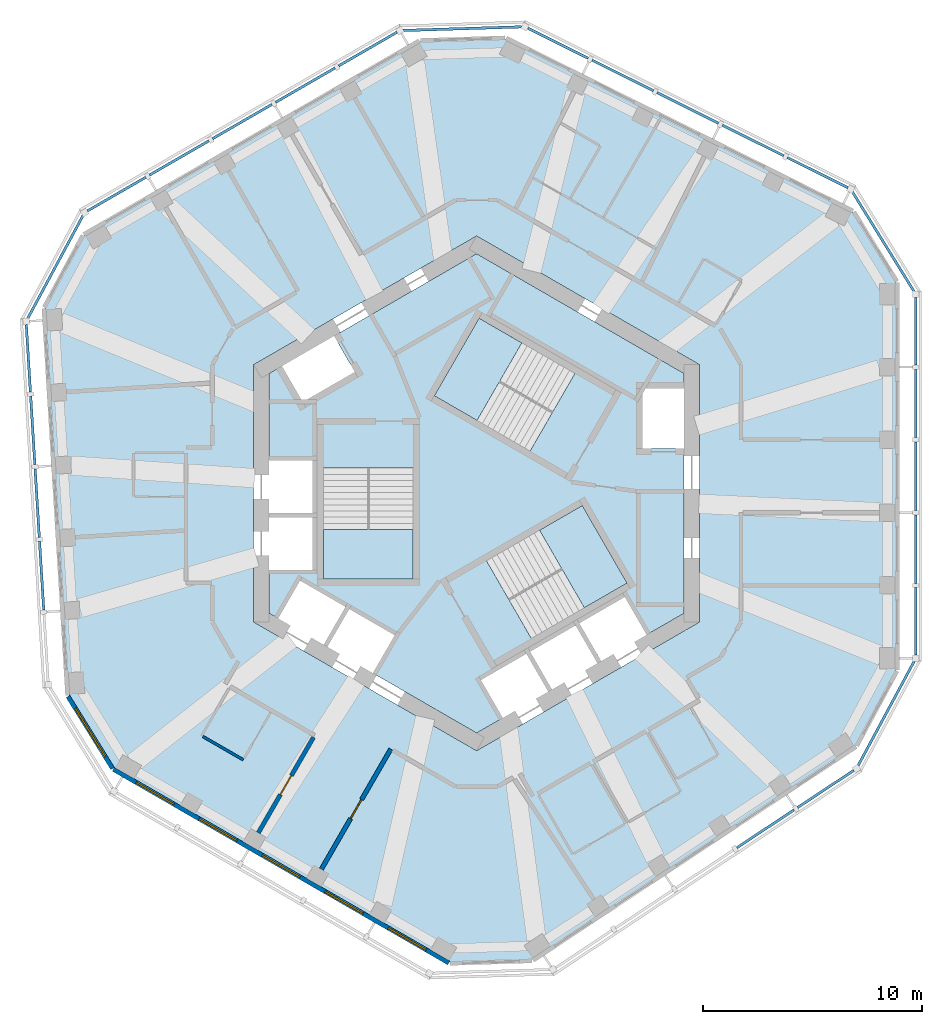
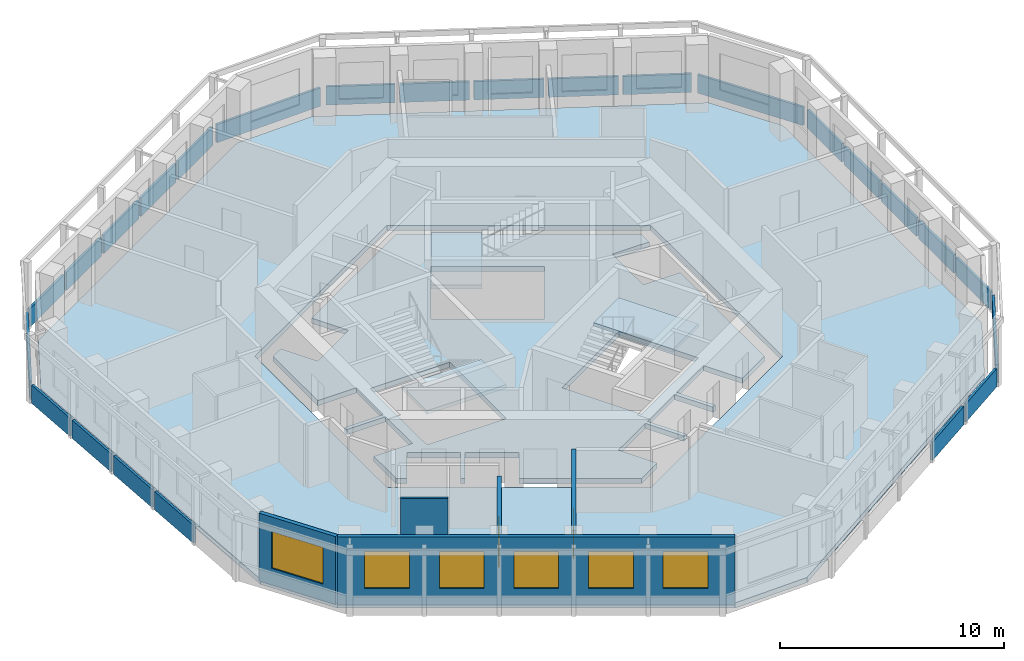
# One storey, part 3 of 11: 25 plates, 6 windows, 5 slabs, 5 walls, 2 doors, 8 openings, 12 elements without a shape of their own.
"""IFC4 building model written with IfcOpenShell, lengths in metres."""

from ifc_helpers import new_model, si_unit, direction, frame, frame_2d, origin, origin_2d, place, context, subcontext, project, spatial, polyline, rectangle, outline, extrude, material, layer, layer_set, type_object, element, fill, aggregate, save


model = new_model("IFC4")

# Units and contexts
model_context = context("Model", 3, precision=1e-05, world=origin(), true_north=direction((0.0, 1.0)))
body_context = subcontext(model_context, "Body", "Model", "MODEL_VIEW")
ifc_project = project(units=[si_unit("LENGTHUNIT", "METRE"), si_unit("AREAUNIT", "SQUARE_METRE"), si_unit("VOLUMEUNIT", "CUBIC_METRE"), si_unit("PLANEANGLEUNIT", "RADIAN"), si_unit("MASSUNIT", "GRAM", prefix="KILO")], contexts=[model_context])

# Site, building, storey
site_placement = place(None, origin())
site = spatial("IfcSite", under=ifc_project, at=site_placement, CompositionType="ELEMENT")
building_placement = place(site_placement, origin())
building = spatial("IfcBuilding", under=site, at=building_placement, Name="Vanh Sen Convention Tower", CompositionType="ELEMENT")
storey_placement = place(building_placement, frame((0.0, 0.0, 285.699951171875)))
storey = spatial("IfcBuildingStorey", under=building, at=storey_placement, Name="L70", CompositionType="ELEMENT", Elevation=285.699951171875)

# Slabs
ifc_material_1 = material(Name="Concrete C40/50", Category="concrete")
ifc_layer_1 = layer(ifc_material_1, 0.280029296875)
ifc_layer_set_1 = layer_set([ifc_layer_1], Name="Concrete C40/50")
slab_type_1 = type_object("IfcSlabType", Name="Core slab 280", PredefinedType="FLOOR", material=ifc_layer_set_1)
slab_1_placement = place(storey_placement, frame((0.0, 0.0, -0.280029296875)))
element("IfcSlab", 1, at=slab_1_placement, inside=storey, type_object=slab_type_1, Name="Core slab L70", PredefinedType="FLOOR", context=body_context, shape_type="SweptSolid", body=[
    extrude(outline(polyline([(0.0, 10.9697265625), (9.5, 5.48486328125), (9.5, 4.800048828125), (7.60009765625, 4.800048828125), (7.60009765625, 2.050048828125), (9.5, 2.050048828125), (9.5, -5.48486328125), (7.781005859375, -6.477294921875), (6.781005859375, -4.7451171875), (4.70263671875, -5.9453125), (5.70263671875, -7.67724609375), (5.529296875, -7.777099609375), (4.529296875, -6.045166015625), (2.450927734375, -7.2451171875), (3.450927734375, -8.977294921875), (3.27783203125, -9.0771484375), (2.27783203125, -7.34521484375), (0.19921875, -8.545166015625), (1.19921875, -10.277099609375), (0.0, -10.9697265625), (-4.75, -8.227294921875), (-3.75, -6.4951171875), (-5.82861328125, -5.295166015625), (-6.82861328125, -7.027099609375), (-7.001708984375, -6.92724609375), (-6.001708984375, -5.1953125), (-8.080078125, -3.9951171875), (-9.080078125, -5.727294921875), (-9.5, -5.48486328125), (-9.5, -3.5), (-7.5, -3.5), (-7.5, -1.10009765625), (-9.5, -1.10009765625), (-9.5, -0.89990234375), (-7.5, -0.89990234375), (-7.5, 1.5), (-9.5, 1.5), (-9.5, 5.48486328125), (-8.906982421875, 5.8271484375), (-7.956787109375, 4.181884765625), (-5.575439453125, 5.556884765625), (-6.525390625, 7.2021484375), (0.0, 10.9697265625)]), holes=[polyline([(-7.0, 1.1494140625), (-7.0, -3.909912109375), (-2.89990234375, -3.909912109375), (-2.89990234375, 1.1494140625), (-7.0, 1.1494140625)]), polyline([(2.504638671875, -6.63671875), (6.88623046875, -4.107177734375), (4.836181640625, -0.556396484375), (0.45458984375, -3.086181640625), (2.504638671875, -6.63671875)]), polyline([(0.11376953125, 8.01708984375), (-1.936279296875, 4.466552734375), (2.4453125, 1.936767578125), (4.495361328125, 5.487548828125), (0.11376953125, 8.01708984375)])]), origin(), (0.0, 0.0, 1.0), 0.280029296875),
])
ifc_layer_2 = layer(ifc_material_1, 0.280029296875)
ifc_layer_set_2 = layer_set([ifc_layer_2], Name="Concrete C40/50")
slab_type_2 = type_object("IfcSlabType", Name="Floor slab 280 REI 120", PredefinedType="FLOOR", material=ifc_layer_set_2)
slab_2_placement = place(storey_placement, frame((0.0, 0.0, -0.280029296875)))
element("IfcSlab", 2, at=slab_2_placement, inside=storey, type_object=slab_type_2, Name="Floor slab L70 tower", PredefinedType="FLOOR", context=body_context, shape_type="SweptSolid", body=[
    extrude(outline(polyline([(19.199951171875, -8.0966796875), (19.199951171875, 9.66162109375), (17.21337890625, 12.871826171875), (1.32080078125, 20.79541015625), (-2.587890625, 20.676025390625), (-17.967041015625, 11.796875), (-19.75390625, 8.471435546875), (-18.669921875, -9.25390625), (-16.612060546875, -12.579345703125), (-1.23291015625, -21.45849609375), (2.54052734375, -21.34326171875), (17.34912109375, -11.541748046875), (19.199951171875, -8.0966796875)]), holes=[polyline([(0.0, 11.77783203125), (-10.199951171875, 5.888916015625), (-10.199951171875, -5.888916015625), (0.0, -11.77783203125), (10.199951171875, -5.888916015625), (10.199951171875, 5.888916015625), (0.0, 11.77783203125)])]), origin(), (0.0, 0.0, 1.0), 0.280029296875),
])

# Curtain wall, plates
ifc_material_2 = material(Name="Concrete C50/60", Category="concrete")
curtain_wall_type = type_object("IfcCurtainWallType", Name="Outer skin office zone", PredefinedType="NOTDEFINED", material=ifc_material_2)
curtain_wall_1_placement = place(storey_placement, origin())
curtain_wall_1 = element("IfcCurtainWall", 3, at=curtain_wall_1_placement, inside=storey, type_object=curtain_wall_type, Name="OUTER SKIN E L70", PredefinedType="NOTDEFINED")
ifc_layer_3 = layer(ifc_material_2, 0.1201171875)
ifc_layer_set_3 = layer_set([ifc_layer_3], Name="Concrete C50/60")
plate_type = type_object("IfcPlateType", Name="Outer skin precast screen panel 120", PredefinedType="CURTAIN_PANEL", material=ifc_layer_set_3)
plate_1_placement = place(storey_placement, frame((20.10009765625, -5.85595703125, 0.0), z_axis=(0.0, 0.0, 1.0), x_axis=(0.0, 1.0, 0.0)))
plate_1 = element("IfcPlate", 4, at=plate_1_placement, type_object=plate_type, Name="OUTER SKIN screen panel E-1", PredefinedType="CURTAIN_PANEL", context=body_context, shape_type="SweptSolid", body=[
    extrude(rectangle(XDim=3.08154296875, YDim=0.1201171875, at=origin_2d()), origin(), (0.0, 0.0, 1.0), 1.0),
])
plate_2_placement = place(storey_placement, frame((20.10009765625, -2.54931640625, 0.0), z_axis=(0.0, 0.0, 1.0), x_axis=(0.0, 1.0, 0.0)))
plate_2 = element("IfcPlate", 5, at=plate_2_placement, type_object=plate_type, Name="OUTER SKIN screen panel E-2", PredefinedType="CURTAIN_PANEL", context=body_context, shape_type="SweptSolid", body=[
    extrude(rectangle(XDim=3.131591796875, YDim=0.1201171875, at=origin_2d()), origin(), (0.0, 0.0, 1.0), 1.0),
])
plate_3_placement = place(storey_placement, frame((20.10009765625, 0.782470703125, 0.0), z_axis=(0.0, 0.0, 1.0), x_axis=(0.0, 1.0, 0.0)))
plate_3 = element("IfcPlate", 6, at=plate_3_placement, type_object=plate_type, Name="OUTER SKIN screen panel E-3", PredefinedType="CURTAIN_PANEL", context=body_context, shape_type="SweptSolid", body=[
    extrude(rectangle(XDim=3.131591796875, YDim=0.1201171875, at=origin_2d()), origin(), (0.0, 0.0, 1.0), 1.0),
])
plate_4_placement = place(storey_placement, frame((20.10009765625, 4.114013671875, 0.0), z_axis=(0.0, 0.0, 1.0), x_axis=(0.0, 1.0, 0.0)))
plate_4 = element("IfcPlate", 7, at=plate_4_placement, type_object=plate_type, Name="OUTER SKIN screen panel E-4", PredefinedType="CURTAIN_PANEL", context=body_context, shape_type="SweptSolid", body=[
    extrude(rectangle(XDim=3.131591796875, YDim=0.1201171875, at=origin_2d()), origin(), (0.0, 0.0, 1.0), 1.0),
])
plate_5_placement = place(storey_placement, frame((20.10009765625, 7.420654296875, 0.0), z_axis=(0.0, 0.0, 1.0), x_axis=(0.0, 1.0, 0.0)))
plate_5 = element("IfcPlate", 8, at=plate_5_placement, type_object=plate_type, Name="OUTER SKIN screen panel E-5", PredefinedType="CURTAIN_PANEL", context=body_context, shape_type="SweptSolid", body=[
    extrude(rectangle(XDim=3.08154296875, YDim=0.1201171875, at=origin_2d()), origin(), (0.0, 0.0, 1.0), 1.0),
])
aggregate(curtain_wall_1, [plate_1, plate_2, plate_3, plate_4, plate_5])

# Curtain wall, plate
curtain_wall_2_placement = place(storey_placement, origin())
curtain_wall_2 = element("IfcCurtainWall", 9, at=curtain_wall_2_placement, inside=storey, type_object=curtain_wall_type, Name="OUTER SKIN CH1 L70", PredefinedType="NOTDEFINED")
plate_6_placement = place(storey_placement, frame((18.611328125, 11.51708984375, 0.0), z_axis=(0.0, 0.0, 1.0), x_axis=(-0.526218376078, 0.850349469734, 0.0)))
plate_6 = element("IfcPlate", 10, at=plate_6_placement, type_object=plate_type, Name="OUTER SKIN screen panel CH1-1", PredefinedType="CURTAIN_PANEL", context=body_context, shape_type="SweptSolid", body=[
    extrude(rectangle(XDim=5.35791015625, YDim=0.1201171875, at=origin_2d()), origin(), (0.0, 0.0, 1.0), 1.0),
])
aggregate(curtain_wall_2, [plate_6])

# Curtain wall, plates
curtain_wall_3_placement = place(storey_placement, origin())
curtain_wall_3 = element("IfcCurtainWall", 11, at=curtain_wall_3_placement, inside=storey, type_object=curtain_wall_type, Name="OUTER SKIN NE L70", PredefinedType="NOTDEFINED")
plate_7_placement = place(storey_placement, frame((15.609619140625, 14.677001953125, 0.0), z_axis=(0.0, 0.0, 1.0), x_axis=(-0.894931246532, 0.446204060919, 0.0)))
plate_7 = element("IfcPlate", 12, at=plate_7_placement, type_object=plate_type, Name="OUTER SKIN screen panel NE-1", PredefinedType="CURTAIN_PANEL", context=body_context, shape_type="SweptSolid", body=[
    extrude(rectangle(XDim=3.081787109375, YDim=0.1201171875, at=origin_2d()), origin(), (0.0, 0.0, 1.0), 1.0),
])
plate_8_placement = place(storey_placement, frame((12.650390625, 16.152587890625, 0.0), z_axis=(0.0, 0.0, 1.0), x_axis=(-0.894931246532, 0.446204060919, 0.0)))
plate_8 = element("IfcPlate", 13, at=plate_8_placement, type_object=plate_type, Name="OUTER SKIN screen panel NE-2", PredefinedType="CURTAIN_PANEL", context=body_context, shape_type="SweptSolid", body=[
    extrude(rectangle(XDim=3.131591796875, YDim=0.1201171875, at=origin_2d()), origin(), (0.0, 0.0, 1.0), 1.0),
])
plate_9_placement = place(storey_placement, frame((9.668701171875, 17.63916015625, 0.0), z_axis=(0.0, 0.0, 1.0), x_axis=(-0.894931246532, 0.446204060919, 0.0)))
plate_9 = element("IfcPlate", 14, at=plate_9_placement, type_object=plate_type, Name="OUTER SKIN screen panel NE-3", PredefinedType="CURTAIN_PANEL", context=body_context, shape_type="SweptSolid", body=[
    extrude(rectangle(XDim=3.131591796875, YDim=0.1201171875, at=origin_2d()), origin(), (0.0, 0.0, 1.0), 1.0),
])
plate_10_placement = place(storey_placement, frame((6.687255859375, 19.125732421875, 0.0), z_axis=(0.0, 0.0, 1.0), x_axis=(-0.89494292782, 0.446180631521, 0.0)))
plate_10 = element("IfcPlate", 15, at=plate_10_placement, type_object=plate_type, Name="OUTER SKIN screen panel NE-4", PredefinedType="CURTAIN_PANEL", context=body_context, shape_type="SweptSolid", body=[
    extrude(rectangle(XDim=3.131591796875, YDim=0.1201171875, at=origin_2d()), origin(), (0.0, 0.0, 1.0), 1.0),
])
plate_11_placement = place(storey_placement, frame((3.727783203125, 20.60107421875, 0.0), z_axis=(0.0, 0.0, 1.0), x_axis=(-0.894931246532, 0.446204060919, 0.0)))
plate_11 = element("IfcPlate", 16, at=plate_11_placement, type_object=plate_type, Name="OUTER SKIN screen panel NE-5", PredefinedType="CURTAIN_PANEL", context=body_context, shape_type="SweptSolid", body=[
    extrude(rectangle(XDim=3.081787109375, YDim=0.1201171875, at=origin_2d()), origin(), (0.0, 0.0, 1.0), 1.0),
])
aggregate(curtain_wall_3, [plate_7, plate_8, plate_9, plate_10, plate_11])

# Curtain wall, plate
curtain_wall_4_placement = place(storey_placement, origin())
curtain_wall_4 = element("IfcCurtainWall", 17, at=curtain_wall_4_placement, inside=storey, type_object=curtain_wall_type, Name="OUTER SKIN CH2 L70", PredefinedType="NOTDEFINED")
plate_12_placement = place(storey_placement, frame((-0.64990234375, 21.26806640625, 0.0), z_axis=(0.0, 0.0, 1.0), x_axis=(-0.99953391058, -0.030528046117, 0.0)))
plate_12 = element("IfcPlate", 18, at=plate_12_placement, type_object=plate_type, Name="OUTER SKIN screen panel CH2-1", PredefinedType="CURTAIN_PANEL", context=body_context, shape_type="SweptSolid", body=[
    extrude(rectangle(XDim=5.431640625, YDim=0.1201171875, at=origin_2d()), origin(), (0.0, 0.0, 1.0), 1.0),
])
aggregate(curtain_wall_4, [plate_12])

# Curtain wall, plates
curtain_wall_5_placement = place(storey_placement, origin())
curtain_wall_5 = element("IfcCurtainWall", 19, at=curtain_wall_5_placement, inside=storey, type_object=curtain_wall_type, Name="OUTER SKIN NW L70", PredefinedType="NOTDEFINED")
plate_13_placement = place(storey_placement, frame((-4.978515625, 20.335205078125, 0.0), z_axis=(0.0, 0.0, 1.0), x_axis=(-0.866015804314, -0.500016626402, 0.0)))
plate_13 = element("IfcPlate", 20, at=plate_13_placement, type_object=plate_type, Name="OUTER SKIN screen panel NW-1", PredefinedType="CURTAIN_PANEL", context=body_context, shape_type="SweptSolid", body=[
    extrude(rectangle(XDim=3.081787109375, YDim=0.1201171875, at=origin_2d()), origin(), (0.0, 0.0, 1.0), 1.0),
])
plate_14_placement = place(storey_placement, frame((-7.84228515625, 18.681640625, 0.0), z_axis=(0.0, 0.0, 1.0), x_axis=(-0.866028894422, -0.49999395399, 0.0)))
plate_14 = element("IfcPlate", 21, at=plate_14_placement, type_object=plate_type, Name="OUTER SKIN screen panel NW-2", PredefinedType="CURTAIN_PANEL", context=body_context, shape_type="SweptSolid", body=[
    extrude(rectangle(XDim=3.131591796875, YDim=0.1201171875, at=origin_2d()), origin(), (0.0, 0.0, 1.0), 1.0),
])
plate_15_placement = place(storey_placement, frame((-10.7275390625, 17.015869140625, 0.0), z_axis=(0.0, 0.0, 1.0), x_axis=(-0.866028894422, -0.49999395399, 0.0)))
plate_15 = element("IfcPlate", 22, at=plate_15_placement, type_object=plate_type, Name="OUTER SKIN screen panel NW-3", PredefinedType="CURTAIN_PANEL", context=body_context, shape_type="SweptSolid", body=[
    extrude(rectangle(XDim=3.131591796875, YDim=0.1201171875, at=origin_2d()), origin(), (0.0, 0.0, 1.0), 1.0),
])
plate_16_placement = place(storey_placement, frame((-13.61279296875, 15.35009765625, 0.0), z_axis=(0.0, 0.0, 1.0), x_axis=(-0.866015804314, -0.500016626402, 0.0)))
plate_16 = element("IfcPlate", 23, at=plate_16_placement, type_object=plate_type, Name="OUTER SKIN screen panel NW-4", PredefinedType="CURTAIN_PANEL", context=body_context, shape_type="SweptSolid", body=[
    extrude(rectangle(XDim=3.131591796875, YDim=0.1201171875, at=origin_2d()), origin(), (0.0, 0.0, 1.0), 1.0),
])
plate_17_placement = place(storey_placement, frame((-16.4765625, 13.69677734375, 0.0), z_axis=(0.0, 0.0, 1.0), x_axis=(-0.866028894422, -0.49999395399, 0.0)))
plate_17 = element("IfcPlate", 24, at=plate_17_placement, type_object=plate_type, Name="OUTER SKIN screen panel NW-5", PredefinedType="CURTAIN_PANEL", context=body_context, shape_type="SweptSolid", body=[
    extrude(rectangle(XDim=3.08154296875, YDim=0.1201171875, at=origin_2d()), origin(), (0.0, 0.0, 1.0), 1.0),
])
aggregate(curtain_wall_5, [plate_13, plate_14, plate_15, plate_16, plate_17])

# Curtain wall, plate
curtain_wall_6_placement = place(storey_placement, origin())
curtain_wall_6 = element("IfcCurtainWall", 25, at=curtain_wall_6_placement, inside=storey, type_object=curtain_wall_type, Name="OUTER SKIN CH3 L70", PredefinedType="NOTDEFINED")
plate_18_placement = place(storey_placement, frame((-19.27978515625, 10.359375, 0.0), z_axis=(0.0, 0.0, 1.0), x_axis=(-0.473324279511, -0.880888259897, 0.0)))
plate_18 = element("IfcPlate", 26, at=plate_18_placement, type_object=plate_type, Name="OUTER SKIN screen panel CH3-1", PredefinedType="CURTAIN_PANEL", context=body_context, shape_type="SweptSolid", body=[
    extrude(rectangle(XDim=5.35791015625, YDim=0.1201171875, at=origin_2d()), origin(), (0.0, 0.0, 1.0), 1.0),
])
aggregate(curtain_wall_6, [plate_18])

# Curtain wall, plates
curtain_wall_7_placement = place(storey_placement, origin())
curtain_wall_7 = element("IfcCurtainWall", 27, at=curtain_wall_7_placement, inside=storey, type_object=curtain_wall_type, Name="OUTER SKIN W L70", PredefinedType="NOTDEFINED")
plate_19_placement = place(storey_placement, frame((-20.515380859375, 6.1796875, 0.0), z_axis=(0.0, 0.0, 1.0), x_axis=(0.061052023682, -0.998134585316, 0.0)))
plate_19 = element("IfcPlate", 28, at=plate_19_placement, type_object=plate_type, Name="OUTER SKIN screen panel W-1", PredefinedType="CURTAIN_PANEL", context=body_context, shape_type="SweptSolid", body=[
    extrude(rectangle(XDim=3.08154296875, YDim=0.1201171875, at=origin_2d()), origin(), (0.0, 0.0, 1.0), 1.0),
])
plate_20_placement = place(storey_placement, frame((-20.313720703125, 2.87939453125, 0.0), z_axis=(0.0, 0.0, 1.0), x_axis=(0.061050281609, -0.998134691871, 0.0)))
plate_20 = element("IfcPlate", 29, at=plate_20_placement, type_object=plate_type, Name="OUTER SKIN screen panel W-2", PredefinedType="CURTAIN_PANEL", context=body_context, shape_type="SweptSolid", body=[
    extrude(rectangle(XDim=3.131591796875, YDim=0.1201171875, at=origin_2d()), origin(), (0.0, 0.0, 1.0), 1.0),
])
plate_21_placement = place(storey_placement, frame((-20.1103515625, -0.4462890625, 0.0), z_axis=(0.0, 0.0, 1.0), x_axis=(0.061052023682, -0.998134585316, 0.0)))
plate_21 = element("IfcPlate", 30, at=plate_21_placement, type_object=plate_type, Name="OUTER SKIN screen panel W-3", PredefinedType="CURTAIN_PANEL", context=body_context, shape_type="SweptSolid", body=[
    extrude(rectangle(XDim=3.131591796875, YDim=0.1201171875, at=origin_2d()), origin(), (0.0, 0.0, 1.0), 1.0),
])
plate_22_placement = place(storey_placement, frame((-19.906982421875, -3.771484375, 0.0), z_axis=(0.0, 0.0, 1.0), x_axis=(0.061052023682, -0.998134585316, 0.0)))
plate_22 = element("IfcPlate", 31, at=plate_22_placement, type_object=plate_type, Name="OUTER SKIN screen panel W-4", PredefinedType="CURTAIN_PANEL", context=body_context, shape_type="SweptSolid", body=[
    extrude(rectangle(XDim=3.131591796875, YDim=0.1201171875, at=origin_2d()), origin(), (0.0, 0.0, 1.0), 1.0),
])
aggregate(curtain_wall_7, [plate_19, plate_20, plate_21, plate_22])

curtain_wall_8_placement = place(storey_placement, origin())
curtain_wall_8 = element("IfcCurtainWall", 32, at=curtain_wall_8_placement, inside=storey, type_object=curtain_wall_type, Name="OUTER SKIN SE L70", PredefinedType="NOTDEFINED")
plate_23_placement = place(storey_placement, frame((13.2197265625, -15.35400390625, 0.0), z_axis=(0.0, 0.0, 1.0), x_axis=(0.833879078823, 0.551947173108, 0.0)))
plate_23 = element("IfcPlate", 33, at=plate_23_placement, type_object=plate_type, Name="OUTER SKIN screen panel SE-4", PredefinedType="CURTAIN_PANEL", context=body_context, shape_type="SweptSolid", body=[
    extrude(rectangle(XDim=3.131591796875, YDim=0.1201171875, at=origin_2d()), origin(), (0.0, 0.0, 1.0), 1.0),
])
plate_24_placement = place(storey_placement, frame((15.97705078125, -13.529052734375, 0.0), z_axis=(0.0, 0.0, 1.0), x_axis=(0.833879078823, 0.551947173108, 0.0)))
plate_24 = element("IfcPlate", 34, at=plate_24_placement, type_object=plate_type, Name="OUTER SKIN screen panel SE-5", PredefinedType="CURTAIN_PANEL", context=body_context, shape_type="SweptSolid", body=[
    extrude(rectangle(XDim=3.081787109375, YDim=0.1201171875, at=origin_2d()), origin(), (0.0, 0.0, 1.0), 1.0),
])
aggregate(curtain_wall_8, [plate_23, plate_24])

# Curtain wall, plate
curtain_wall_9_placement = place(storey_placement, origin())
curtain_wall_9 = element("IfcCurtainWall", 35, at=curtain_wall_9_placement, inside=storey, type_object=curtain_wall_type, Name="OUTER SKIN CH6 L70", PredefinedType="NOTDEFINED")
plate_25_placement = place(storey_placement, frame((18.743408203125, -10.0712890625, 0.0), z_axis=(0.0, 0.0, 1.0), x_axis=(0.473324279511, 0.880888259897, 0.0)))
plate_25 = element("IfcPlate", 36, at=plate_25_placement, type_object=plate_type, Name="OUTER SKIN screen panel CH6-1", PredefinedType="CURTAIN_PANEL", context=body_context, shape_type="SweptSolid", body=[
    extrude(rectangle(XDim=5.431884765625, YDim=0.1201171875, at=origin_2d()), origin(), (0.0, 0.0, 1.0), 1.0),
])
aggregate(curtain_wall_9, [plate_25])

# Stair, slab
ifc_material_3 = material(Name="Concrete C50/60", Category="concrete")
stair_type_1 = type_object("IfcStairType", Name="Exit stair ST1 22 risers at 168.2", PredefinedType="HALF_TURN_STAIR", material=ifc_material_3)
stair_1_placement = place(storey_placement, origin())
stair_1 = element("IfcStair", 37, at=stair_1_placement, inside=storey, type_object=stair_type_1, Name="Exit stair ST1 L70", PredefinedType="HALF_TURN_STAIR")
ifc_layer_4 = layer(ifc_material_1, 0.199951171875)
ifc_layer_set_4 = layer_set([ifc_layer_4], Name="Concrete C40/50")
slab_type_3 = type_object("IfcSlabType", Name="Stair landing 200", PredefinedType="LANDING", material=ifc_layer_set_4)
slab_3_placement = place(storey_placement, frame((0.0, 0.0, 1.650146484375)))
slab_3 = element("IfcSlab", 38, at=slab_3_placement, type_object=slab_type_3, Name="ST1 landing 1", PredefinedType="LANDING", context=body_context, shape_type="SweptSolid", body=[
    extrude(outline(polyline([(2.07177734375, 6.88671875), (0.11376953125, 8.01708984375), (-1.936279296875, 4.466552734375), (0.021728515625, 3.336181640625), (2.07177734375, 6.88671875)])), origin(), (0.0, 0.0, 1.0), 0.199951171875),
])
aggregate(stair_1, [slab_3])

stair_type_2 = type_object("IfcStairType", Name="Exit stair ST2 22 risers at 168.2", PredefinedType="HALF_TURN_STAIR", material=ifc_material_3)
stair_2_placement = place(storey_placement, origin())
stair_2 = element("IfcStair", 39, at=stair_2_placement, inside=storey, type_object=stair_type_2, Name="Exit stair ST2 L70", PredefinedType="HALF_TURN_STAIR")
slab_4_placement = place(storey_placement, frame((0.0, 0.0, 1.650146484375)))
slab_4 = element("IfcSlab", 40, at=slab_4_placement, type_object=slab_type_3, Name="ST2 landing 1", PredefinedType="LANDING", context=body_context, shape_type="SweptSolid", body=[
    extrude(outline(polyline([(-7.0, -1.6494140625), (-7.0, -3.909912109375), (-2.89990234375, -3.909912109375), (-2.89990234375, -1.6494140625), (-7.0, -1.6494140625)])), origin(), (0.0, 0.0, 1.0), 0.199951171875),
])
aggregate(stair_2, [slab_4])

stair_type_3 = type_object("IfcStairType", Name="Exit stair ST3 22 risers at 168.2", PredefinedType="HALF_TURN_STAIR", material=ifc_material_3)
stair_3_placement = place(storey_placement, origin())
stair_3 = element("IfcStair", 41, at=stair_3_placement, inside=storey, type_object=stair_type_3, Name="Exit stair ST3 L70", PredefinedType="HALF_TURN_STAIR")
slab_5_placement = place(storey_placement, frame((0.0, 0.0, 1.650146484375)))
slab_5 = element("IfcSlab", 42, at=slab_5_placement, type_object=slab_type_3, Name="ST3 landing 1", PredefinedType="LANDING", context=body_context, shape_type="SweptSolid", body=[
    extrude(outline(polyline([(4.92822265625, -5.237548828125), (6.88623046875, -4.107177734375), (4.836181640625, -0.556396484375), (2.87841796875, -1.686767578125), (4.92822265625, -5.237548828125)])), origin(), (0.0, 0.0, 1.0), 0.199951171875),
])
aggregate(stair_3, [slab_5])

# Wall
ifc_material_4 = material(Name="Moisture-resistant gypsum board on steel studs", Category="steel")
ifc_layer_5 = layer(ifc_material_4, 0.1201171875)
ifc_layer_set_5 = layer_set([ifc_layer_5], Name="Moisture-resistant gypsum board on steel studs")
wall_type_1 = type_object("IfcWallType", Name="Bathroom partition 120", PredefinedType="PARTITIONING", material=ifc_layer_set_5)
wall_1_placement = place(storey_placement, frame((-10.67919921875, -12.1953125, 0.0), z_axis=(0.0, 0.0, 1.0), x_axis=(-0.866037418504, 0.499979189318, 0.0)))
element("IfcWall", 43, at=wall_1_placement, inside=storey, type_object=wall_type_1, Name="Bathroom partition 120", PredefinedType="PARTITIONING", context=body_context, shape_type="SweptSolid", body=[
    extrude(rectangle(XDim=2.14013671875, YDim=0.1201171875, at=frame_2d((1.070068359375, 0.0))), origin(), (0.0, 0.0, 1.0), 3.420166015625),
])

# Wall, opening, door
ifc_material_5 = material(Name="Gypsum board on steel studs with mineral wool", Category="steel")
ifc_layer_6 = layer(ifc_material_5, 0.199951171875)
ifc_layer_set_6 = layer_set([ifc_layer_6], Name="Gypsum board on steel studs with mineral wool")
wall_type_2 = type_object("IfcWallType", Name="Corridor partition wall 200", PredefinedType="PARTITIONING", material=ifc_layer_set_6)
wall_2_placement = place(storey_placement, frame((-9.989990234375, -15.53662109375, 0.0), z_axis=(0.0, 0.0, 1.0), x_axis=(0.499966611936, 0.866044679534, 0.0)))
wall_2 = element("IfcWall", 44, at=wall_2_placement, inside=storey, type_object=wall_type_2, Name="Corridor partition wall 200", PredefinedType="PARTITIONING", context=body_context, shape_type="SweptSolid", body=[
    extrude(rectangle(XDim=5.049072265625, YDim=0.199951171875, at=frame_2d((2.5244140625, 0.0))), origin(), (0.0, 0.0, 1.0), 2.8701171875),
])
opening_1_placement = place(wall_2_placement, frame((2.0244140625, 0.0, 0.0)))
opening_1 = element("IfcOpeningElement", 45, at=opening_1_placement, cuts=wall_2, Name="Opening D70113", PredefinedType="OPENING", context=body_context, shape_type="SweptSolid", body=[
    extrude(rectangle(XDim=1.0, YDim=2.10009765625, at=frame_2d((0.5, 1.050048828125))), frame((0.0, 0.10986328125, 0.0), z_axis=(0.0, -1.0, 0.0), x_axis=(1.0, 0.0, 0.0)), (0.0, 0.0, 1.0), 0.219970703125),
])
ifc_material_6 = material(Name="Glazed fire door in steel frame", Category="steel")
door_type_1 = type_object("IfcDoorType", Name="Tenant entrance door 1000", OperationType="SINGLE_SWING_LEFT", PredefinedType="DOOR", material=ifc_material_6)
door_1_placement = place(opening_1_placement, origin())
door_1 = element("IfcDoor", 46, at=door_1_placement, inside=storey, type_object=door_type_1, Name="Tenant suite entrance door D70113", OperationType="SINGLE_SWING_LEFT", OverallHeight=2.10009765625, OverallWidth=1.0, PredefinedType="DOOR", context=body_context, shape_type="SweptSolid", body=[
    extrude(rectangle(XDim=1.0, YDim=2.10009765625, at=frame_2d((0.5, 1.050048828125))), frame((0.0, 0.02490234375, 0.0), z_axis=(0.0, -1.0, 0.0), x_axis=(1.0, 0.0, 0.0)), (0.0, 0.0, 1.0), 0.050048828125),
])
fill(opening_1, door_1)

wall_3_placement = place(storey_placement, frame((-7.104736328125, -17.202392578125, 0.0), z_axis=(0.0, 0.0, 1.0), x_axis=(0.499988692146, 0.866031932279, 0.0)))
wall_3 = element("IfcWall", 47, at=wall_3_placement, inside=storey, type_object=wall_type_2, Name="Corridor partition wall 200", PredefinedType="PARTITIONING", context=body_context, shape_type="SweptSolid", body=[
    extrude(rectangle(XDim=6.350341796875, YDim=0.199951171875, at=frame_2d((3.17529296875, 0.0))), origin(), (0.0, 0.0, 1.0), 3.420166015625),
])
opening_2_placement = place(wall_3_placement, frame((2.675048828125, 0.0, 0.0)))
opening_2 = element("IfcOpeningElement", 48, at=opening_2_placement, cuts=wall_3, Name="Opening D70115", PredefinedType="OPENING", context=body_context, shape_type="SweptSolid", body=[
    extrude(rectangle(XDim=1.0, YDim=2.10009765625, at=frame_2d((0.5, 1.050048828125))), frame((0.0, 0.10986328125, 0.0), z_axis=(0.0, -1.0, 0.0), x_axis=(1.0, 0.0, 0.0)), (0.0, 0.0, 1.0), 0.219970703125),
])
ifc_material_7 = material(Name="Timber fire door in steel frame", Category="steel")
door_type_2 = type_object("IfcDoorType", Name="Floor room door 1000", OperationType="SINGLE_SWING_LEFT", PredefinedType="DOOR", material=ifc_material_7)
door_2_placement = place(opening_2_placement, origin())
door_2 = element("IfcDoor", 49, at=door_2_placement, inside=storey, type_object=door_type_2, Name="Meeting and amenity room door D70115", OperationType="SINGLE_SWING_LEFT", OverallHeight=2.10009765625, OverallWidth=1.0, PredefinedType="DOOR", context=body_context, shape_type="SweptSolid", body=[
    extrude(rectangle(XDim=1.0, YDim=2.10009765625, at=frame_2d((0.5, 1.050048828125))), frame((0.0, 0.02490234375, 0.0), z_axis=(0.0, -1.0, 0.0), x_axis=(1.0, 0.0, 0.0)), (0.0, 0.0, 1.0), 0.050048828125),
])
fill(opening_2, door_2)

# Wall, opening, window
ifc_material_8 = material(Name="Insulated lightweight infill wall")
ifc_layer_7 = layer(ifc_material_8, 0.199951171875)
ifc_layer_set_7 = layer_set([ifc_layer_7], Name="Insulated lightweight infill wall")
wall_type_3 = type_object("IfcWallType", Name="External wall 200", PredefinedType="STANDARD", material=ifc_layer_set_7)
wall_4_placement = place(storey_placement, frame((-18.705810546875, -9.290771484375, 0.0), z_axis=(0.0, 0.0, 1.0), x_axis=(0.526209683648, -0.850354848775, 0.0)))
wall_4 = element("IfcWall", 50, at=wall_4_placement, inside=storey, type_object=wall_type_3, Name="External wall CH4 L70", PredefinedType="STANDARD", context=body_context, shape_type="SweptSolid", body=[
    extrude(rectangle(XDim=3.8857421875, YDim=0.199951171875, at=frame_2d((1.94287109375, 0.0))), origin(), (0.0, 0.0, 1.0), 3.699951171875),
])
opening_3_placement = place(wall_4_placement, frame((0.642822265625, 0.0, 0.89990234375)))
opening_3 = element("IfcOpeningElement", 51, at=opening_3_placement, cuts=wall_4, Name="Opening WO6-CH41", PredefinedType="OPENING", context=body_context, shape_type="SweptSolid", body=[
    extrude(rectangle(XDim=2.60009765625, YDim=2.0, at=frame_2d((1.300048828125, 1.0))), frame((0.0, 0.10986328125, 0.0), z_axis=(0.0, -1.0, 0.0), x_axis=(1.0, 0.0, 0.0)), (0.0, 0.0, 1.0), 0.219970703125),
])
ifc_material_9 = material(Name="Aluminium frame with clear low-emissivity glass", Category="aluminium")
window_type_1 = type_object("IfcWindowType", Name="Office window 2600 x 2000", PartitioningType="SINGLE_PANEL", PredefinedType="WINDOW", material=ifc_material_9)
window_1_placement = place(opening_3_placement, origin())
window_1 = element("IfcWindow", 52, at=window_1_placement, inside=storey, type_object=window_type_1, Name="Window WO6-CH41", OverallHeight=2.0, OverallWidth=2.60009765625, PartitioningType="SINGLE_PANEL", PredefinedType="WINDOW", context=body_context, shape_type="SweptSolid", body=[
    extrude(rectangle(XDim=2.60009765625, YDim=2.0, at=frame_2d((1.300048828125, 1.0))), frame((0.0, 0.030029296875, 0.0), z_axis=(0.0, -1.0, 0.0), x_axis=(1.0, 0.0, 0.0)), (0.0, 0.0, 1.0), 0.06005859375),
])
fill(opening_3, window_1)

# Wall, openings, windows
wall_5_placement = place(storey_placement, frame((-16.626220703125, -12.62890625, 0.0), z_axis=(0.0, 0.0, 1.0), x_axis=(0.866026460444, -0.499998169808, 0.0)))
wall_5 = element("IfcWall", 53, at=wall_5_placement, inside=storey, type_object=wall_type_3, Name="External wall SW L70", PredefinedType="STANDARD", context=body_context, shape_type="SweptSolid", body=[
    extrude(rectangle(XDim=17.7314453125, YDim=0.199951171875, at=frame_2d((8.86572265625, 0.0))), origin(), (0.0, 0.0, 1.0), 3.699951171875),
])
opening_4_placement = place(wall_5_placement, frame((1.203125, 0.0, 0.89990234375)))
opening_4 = element("IfcOpeningElement", 54, at=opening_4_placement, cuts=wall_5, Name="Opening WO5-SW1", PredefinedType="OPENING", context=body_context, shape_type="SweptSolid", body=[
    extrude(rectangle(XDim=2.0, YDim=2.0, at=frame_2d((1.0, 1.0))), frame((0.0, 0.10986328125, 0.0), z_axis=(0.0, -1.0, 0.0), x_axis=(1.0, 0.0, 0.0)), (0.0, 0.0, 1.0), 0.219970703125),
])
opening_5_placement = place(wall_5_placement, frame((4.534912109375, 0.0, 0.89990234375)))
opening_5 = element("IfcOpeningElement", 55, at=opening_5_placement, cuts=wall_5, Name="Opening WO5-SW2", PredefinedType="OPENING", context=body_context, shape_type="SweptSolid", body=[
    extrude(rectangle(XDim=2.0, YDim=2.0, at=frame_2d((1.0, 1.0))), frame((0.0, 0.10986328125, 0.0), z_axis=(0.0, -1.0, 0.0), x_axis=(1.0, 0.0, 0.0)), (0.0, 0.0, 1.0), 0.219970703125),
])
opening_6_placement = place(wall_5_placement, frame((7.86669921875, 0.0, 0.89990234375)))
opening_6 = element("IfcOpeningElement", 56, at=opening_6_placement, cuts=wall_5, Name="Opening WO5-SW3", PredefinedType="OPENING", context=body_context, shape_type="SweptSolid", body=[
    extrude(rectangle(XDim=2.0, YDim=2.0, at=frame_2d((1.0, 1.0))), frame((0.0, 0.10986328125, 0.0), z_axis=(0.0, -1.0, 0.0), x_axis=(1.0, 0.0, 0.0)), (0.0, 0.0, 1.0), 0.219970703125),
])
opening_7_placement = place(wall_5_placement, frame((11.1982421875, 0.0, 0.89990234375)))
opening_7 = element("IfcOpeningElement", 57, at=opening_7_placement, cuts=wall_5, Name="Opening WO5-SW4", PredefinedType="OPENING", context=body_context, shape_type="SweptSolid", body=[
    extrude(rectangle(XDim=2.0, YDim=2.0, at=frame_2d((1.0, 1.0))), frame((0.0, 0.10986328125, 0.0), z_axis=(0.0, -1.0, 0.0), x_axis=(1.0, 0.0, 0.0)), (0.0, 0.0, 1.0), 0.219970703125),
])
opening_8_placement = place(wall_5_placement, frame((14.52978515625, 0.0, 0.89990234375)))
opening_8 = element("IfcOpeningElement", 58, at=opening_8_placement, cuts=wall_5, Name="Opening WO5-SW5", PredefinedType="OPENING", context=body_context, shape_type="SweptSolid", body=[
    extrude(rectangle(XDim=2.0, YDim=2.0, at=frame_2d((1.0, 1.0))), frame((0.0, 0.10986328125, 0.0), z_axis=(0.0, -1.0, 0.0), x_axis=(1.0, 0.0, 0.0)), (0.0, 0.0, 1.0), 0.219970703125),
])
window_type_2 = type_object("IfcWindowType", Name="Office window 2000 x 2000", PartitioningType="SINGLE_PANEL", PredefinedType="WINDOW", material=ifc_material_9)
window_2_placement = place(opening_4_placement, origin())
window_2 = element("IfcWindow", 59, at=window_2_placement, inside=storey, type_object=window_type_2, Name="Window WO5-SW1", OverallHeight=2.0, OverallWidth=2.0, PartitioningType="SINGLE_PANEL", PredefinedType="WINDOW", context=body_context, shape_type="SweptSolid", body=[
    extrude(rectangle(XDim=2.0, YDim=2.0, at=frame_2d((1.0, 1.0))), frame((0.0, 0.030029296875, 0.0), z_axis=(0.0, -1.0, 0.0), x_axis=(1.0, 0.0, 0.0)), (0.0, 0.0, 1.0), 0.06005859375),
])
fill(opening_4, window_2)
window_3_placement = place(opening_5_placement, origin())
window_3 = element("IfcWindow", 60, at=window_3_placement, inside=storey, type_object=window_type_2, Name="Window WO5-SW2", OverallHeight=2.0, OverallWidth=2.0, PartitioningType="SINGLE_PANEL", PredefinedType="WINDOW", context=body_context, shape_type="SweptSolid", body=[
    extrude(rectangle(XDim=2.0, YDim=2.0, at=frame_2d((1.0, 1.0))), frame((0.0, 0.030029296875, 0.0), z_axis=(0.0, -1.0, 0.0), x_axis=(1.0, 0.0, 0.0)), (0.0, 0.0, 1.0), 0.06005859375),
])
fill(opening_5, window_3)
window_4_placement = place(opening_6_placement, origin())
window_4 = element("IfcWindow", 61, at=window_4_placement, inside=storey, type_object=window_type_2, Name="Window WO5-SW3", OverallHeight=2.0, OverallWidth=2.0, PartitioningType="SINGLE_PANEL", PredefinedType="WINDOW", context=body_context, shape_type="SweptSolid", body=[
    extrude(rectangle(XDim=2.0, YDim=2.0, at=frame_2d((1.0, 1.0))), frame((0.0, 0.030029296875, 0.0), z_axis=(0.0, -1.0, 0.0), x_axis=(1.0, 0.0, 0.0)), (0.0, 0.0, 1.0), 0.06005859375),
])
fill(opening_6, window_4)
window_5_placement = place(opening_7_placement, origin())
window_5 = element("IfcWindow", 62, at=window_5_placement, inside=storey, type_object=window_type_2, Name="Window WO5-SW4", OverallHeight=2.0, OverallWidth=2.0, PartitioningType="SINGLE_PANEL", PredefinedType="WINDOW", context=body_context, shape_type="SweptSolid", body=[
    extrude(rectangle(XDim=2.0, YDim=2.0, at=frame_2d((1.0, 1.0))), frame((0.0, 0.030029296875, 0.0), z_axis=(0.0, -1.0, 0.0), x_axis=(1.0, 0.0, 0.0)), (0.0, 0.0, 1.0), 0.06005859375),
])
fill(opening_7, window_5)
window_6_placement = place(opening_8_placement, origin())
window_6 = element("IfcWindow", 63, at=window_6_placement, inside=storey, type_object=window_type_2, Name="Window WO5-SW5", OverallHeight=2.0, OverallWidth=2.0, PartitioningType="SINGLE_PANEL", PredefinedType="WINDOW", context=body_context, shape_type="SweptSolid", body=[
    extrude(rectangle(XDim=2.0, YDim=2.0, at=frame_2d((1.0, 1.0))), frame((0.0, 0.030029296875, 0.0), z_axis=(0.0, -1.0, 0.0), x_axis=(1.0, 0.0, 0.0)), (0.0, 0.0, 1.0), 0.06005859375),
])
fill(opening_8, window_6)

save(model, "model.ifc")
